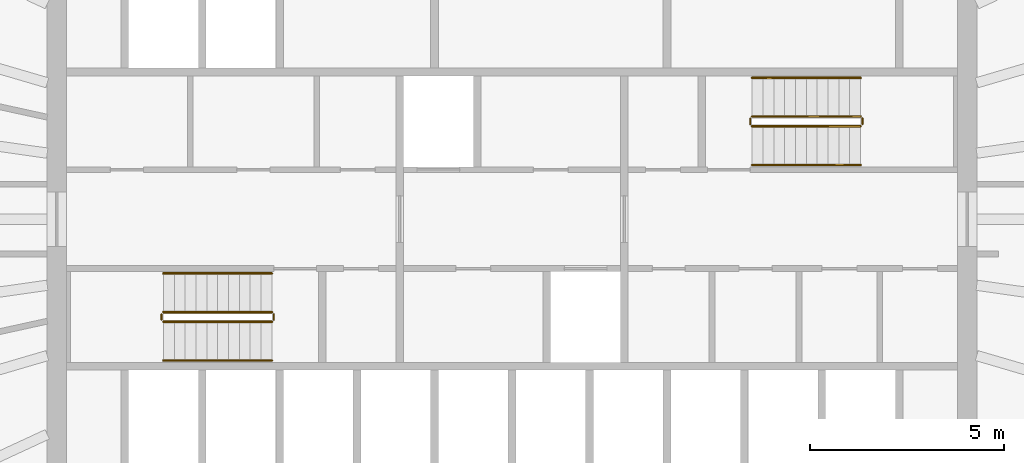
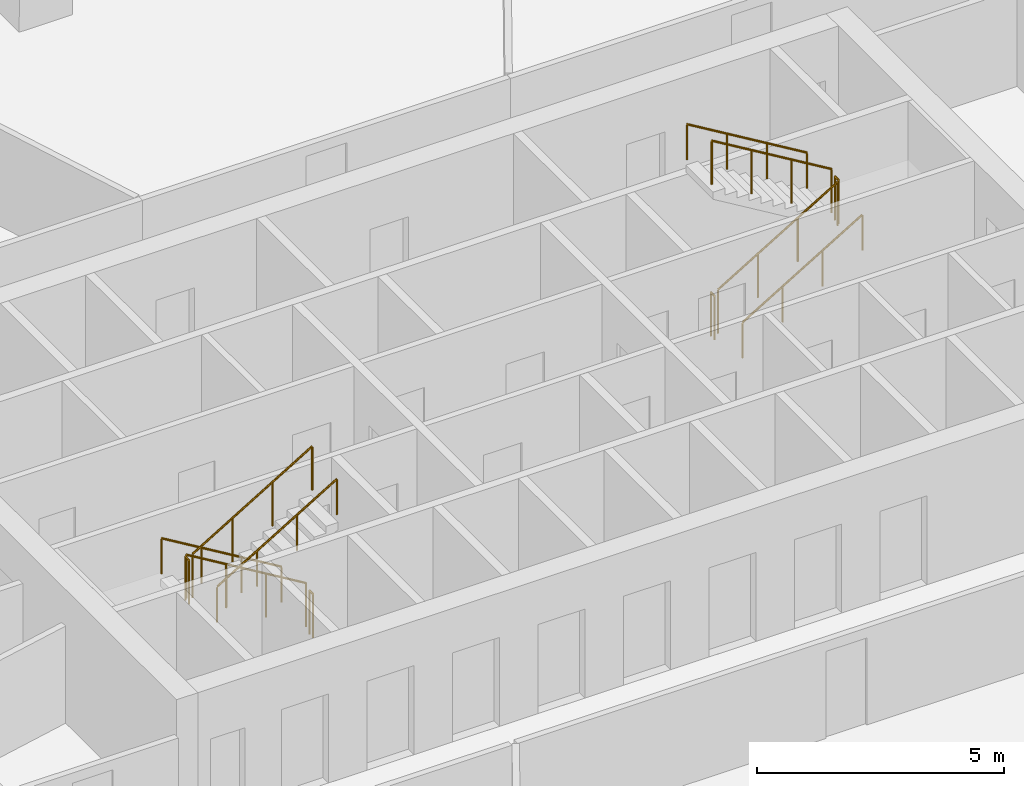
# One storey, part 11 of 11: 12 railings.
"""IFC4 building model written with IfcOpenShell, lengths in metres."""

from ifc_helpers import new_model, si_unit, direction, frame, origin, origin_2d, place, context, subcontext, project, spatial, circle, extrude, material, type_object, element, save


model = new_model("IFC4")

# Units and contexts
model_context = context("Model", 3, precision=1e-05, world=origin(), true_north=direction((0.0, 1.0)))
body_context = subcontext(model_context, "Body", "Model", "MODEL_VIEW")
ifc_project = project(units=[si_unit("LENGTHUNIT", "METRE"), si_unit("AREAUNIT", "SQUARE_METRE"), si_unit("VOLUMEUNIT", "CUBIC_METRE"), si_unit("PLANEANGLEUNIT", "RADIAN"), si_unit("MASSUNIT", "GRAM", prefix="KILO")], contexts=[model_context])

# Site, building, storey
site_placement = place(None, origin())
site = spatial("IfcSite", under=ifc_project, at=site_placement, CompositionType="ELEMENT")
building_placement = place(site_placement, origin())
building = spatial("IfcBuilding", under=site, at=building_placement, Name="Siaravel Broadcast Tower", CompositionType="ELEMENT")
storey_placement = place(building_placement, frame((0.0, 0.0, 126.699951171875)))
storey = spatial("IfcBuildingStorey", under=building, at=storey_placement, Name="L30", CompositionType="ELEMENT", Elevation=126.699951171875)

# Railings
ifc_material = material(Name="Stainless steel 316L", Category="steel")
railing_type_1 = type_object("IfcRailingType", Name="Stair guard 1100", PredefinedType="GUARDRAIL", material=ifc_material)
railing_1_placement = place(storey_placement, frame((-6.199951171875, -2.39990234375, 0.168212890625)))
element("IfcRailing", 1, at=railing_1_placement, inside=storey, type_object=railing_type_1, Name="L30 ST-1 stair guard 1", PredefinedType="GUARDRAIL", context=body_context, shape_type="SweptSolid", body=[
    extrude(circle(Radius=0.02392578125, at=origin_2d()), frame((0.0, 0.0, 1.076171875), z_axis=(-0.857242211, 0.0, 0.514913383), x_axis=(0.0, -1.0, 0.0)), (0.0, 0.0, 1.0), 3.266357421875),
    extrude(circle(Radius=0.02099609375, at=origin_2d()), origin(), (0.0, 0.0, 1.0), 1.052001953125),
    extrude(circle(Radius=0.02099609375, at=origin_2d()), frame((-0.933349609375, 0.0, 0.560546875)), (0.0, 0.0, 1.0), 1.052001953125),
    extrude(circle(Radius=0.02099609375, at=origin_2d()), frame((-1.86669921875, 0.0, 1.121337890625)), (0.0, 0.0, 1.0), 1.052001953125),
    extrude(circle(Radius=0.02099609375, at=origin_2d()), frame((-2.800048828125, 0.0, 1.681884765625)), (0.0, 0.0, 1.0), 1.052001953125),
])
railing_2_placement = place(storey_placement, frame((-9.050048828125, -2.449951171875, 1.85009765625)))
element("IfcRailing", 2, at=railing_2_placement, inside=storey, type_object=railing_type_1, Name="L30 ST-1 stair guard 2", PredefinedType="GUARDRAIL", context=body_context, shape_type="SweptSolid", body=[
    extrude(circle(Radius=0.02392578125, at=origin_2d()), frame((0.0, 0.0, 1.076171875), z_axis=(0.0, -1.0, 0.0), x_axis=(1.0, 0.0, 0.0)), (0.0, 0.0, 1.0), 0.150146484375),
    extrude(circle(Radius=0.02099609375, at=origin_2d()), origin(), (0.0, 0.0, 1.0), 1.052001953125),
    extrude(circle(Radius=0.02099609375, at=origin_2d()), frame((0.0, -0.150146484375, 0.0)), (0.0, 0.0, 1.0), 1.052001953125),
])
railing_3_placement = place(storey_placement, frame((-9.0, -2.64990234375, 2.018310546875)))
element("IfcRailing", 3, at=railing_3_placement, inside=storey, type_object=railing_type_1, Name="L30 ST-1 stair guard 3", PredefinedType="GUARDRAIL", context=body_context, shape_type="SweptSolid", body=[
    extrude(circle(Radius=0.02392578125, at=origin_2d()), frame((0.0, 0.0, 1.076171875), z_axis=(0.857275203, 0.0, 0.514858453), x_axis=(0.0, 1.0, 0.0)), (0.0, 0.0, 1.0), 3.26611328125),
    extrude(circle(Radius=0.02099609375, at=origin_2d()), origin(), (0.0, 0.0, 1.0), 1.052001953125),
    extrude(circle(Radius=0.02099609375, at=origin_2d()), frame((0.933349609375, 0.0, 0.560546875)), (0.0, 0.0, 1.0), 1.052001953125),
    extrude(circle(Radius=0.02099609375, at=origin_2d()), frame((1.86669921875, 0.0, 1.12109375)), (0.0, 0.0, 1.0), 1.052001953125),
    extrude(circle(Radius=0.02099609375, at=origin_2d()), frame((2.800048828125, 0.0, 1.681640625)), (0.0, 0.0, 1.0), 1.052001953125),
])
railing_4_placement = place(storey_placement, frame((-6.14990234375, -2.449951171875, 0.0)))
element("IfcRailing", 4, at=railing_4_placement, inside=storey, type_object=railing_type_1, Name="L30 ST-1 stair guard 4", PredefinedType="GUARDRAIL", context=body_context, shape_type="SweptSolid", body=[
    extrude(circle(Radius=0.02392578125, at=origin_2d()), frame((0.0, 0.0, 1.076171875), z_axis=(0.0, -1.0, 0.0), x_axis=(1.0, 0.0, 0.0)), (0.0, 0.0, 1.0), 0.150146484375),
    extrude(circle(Radius=0.02099609375, at=origin_2d()), origin(), (0.0, 0.0, 1.0), 1.052001953125),
    extrude(circle(Radius=0.02099609375, at=origin_2d()), frame((0.0, -0.150146484375, 0.0)), (0.0, 0.0, 1.0), 1.052001953125),
])
railing_5_placement = place(storey_placement, frame((6.199951171875, 2.39990234375, 0.168212890625)))
element("IfcRailing", 5, at=railing_5_placement, inside=storey, type_object=railing_type_1, Name="L30 ST-2 stair guard 1", PredefinedType="GUARDRAIL", context=body_context, shape_type="SweptSolid", body=[
    extrude(circle(Radius=0.02392578125, at=origin_2d()), frame((0.0, 0.0, 1.076171875), z_axis=(0.857242211, 0.0, 0.514913383), x_axis=(0.0, 1.0, 0.0)), (0.0, 0.0, 1.0), 3.266357421875),
    extrude(circle(Radius=0.02099609375, at=origin_2d()), origin(), (0.0, 0.0, 1.0), 1.052001953125),
    extrude(circle(Radius=0.02099609375, at=origin_2d()), frame((0.933349609375, 0.0, 0.560546875)), (0.0, 0.0, 1.0), 1.052001953125),
    extrude(circle(Radius=0.02099609375, at=origin_2d()), frame((1.86669921875, 0.0, 1.121337890625)), (0.0, 0.0, 1.0), 1.052001953125),
    extrude(circle(Radius=0.02099609375, at=origin_2d()), frame((2.800048828125, 0.0, 1.681884765625)), (0.0, 0.0, 1.0), 1.052001953125),
])
railing_6_placement = place(storey_placement, frame((9.050048828125, 2.449951171875, 1.85009765625)))
element("IfcRailing", 6, at=railing_6_placement, inside=storey, type_object=railing_type_1, Name="L30 ST-2 stair guard 2", PredefinedType="GUARDRAIL", context=body_context, shape_type="SweptSolid", body=[
    extrude(circle(Radius=0.02392578125, at=origin_2d()), frame((0.0, 0.0, 1.076171875), z_axis=(0.0, 1.0, 0.0), x_axis=(-1.0, 0.0, 0.0)), (0.0, 0.0, 1.0), 0.150146484375),
    extrude(circle(Radius=0.02099609375, at=origin_2d()), origin(), (0.0, 0.0, 1.0), 1.052001953125),
    extrude(circle(Radius=0.02099609375, at=origin_2d()), frame((0.0, 0.150146484375, 0.0)), (0.0, 0.0, 1.0), 1.052001953125),
])
railing_7_placement = place(storey_placement, frame((9.0, 2.64990234375, 2.018310546875)))
element("IfcRailing", 7, at=railing_7_placement, inside=storey, type_object=railing_type_1, Name="L30 ST-2 stair guard 3", PredefinedType="GUARDRAIL", context=body_context, shape_type="SweptSolid", body=[
    extrude(circle(Radius=0.02392578125, at=origin_2d()), frame((0.0, 0.0, 1.076171875), z_axis=(-0.857275203, 0.0, 0.514858453), x_axis=(0.0, -1.0, 0.0)), (0.0, 0.0, 1.0), 3.26611328125),
    extrude(circle(Radius=0.02099609375, at=origin_2d()), origin(), (0.0, 0.0, 1.0), 1.052001953125),
    extrude(circle(Radius=0.02099609375, at=origin_2d()), frame((-0.933349609375, 0.0, 0.560546875)), (0.0, 0.0, 1.0), 1.052001953125),
    extrude(circle(Radius=0.02099609375, at=origin_2d()), frame((-1.86669921875, 0.0, 1.12109375)), (0.0, 0.0, 1.0), 1.052001953125),
    extrude(circle(Radius=0.02099609375, at=origin_2d()), frame((-2.800048828125, 0.0, 1.681640625)), (0.0, 0.0, 1.0), 1.052001953125),
])
railing_8_placement = place(storey_placement, frame((6.14990234375, 2.449951171875, 0.0)))
element("IfcRailing", 8, at=railing_8_placement, inside=storey, type_object=railing_type_1, Name="L30 ST-2 stair guard 4", PredefinedType="GUARDRAIL", context=body_context, shape_type="SweptSolid", body=[
    extrude(circle(Radius=0.02392578125, at=origin_2d()), frame((0.0, 0.0, 1.076171875), z_axis=(0.0, 1.0, 0.0), x_axis=(-1.0, 0.0, 0.0)), (0.0, 0.0, 1.0), 0.150146484375),
    extrude(circle(Radius=0.02099609375, at=origin_2d()), origin(), (0.0, 0.0, 1.0), 1.052001953125),
    extrude(circle(Radius=0.02099609375, at=origin_2d()), frame((0.0, 0.150146484375, 0.0)), (0.0, 0.0, 1.0), 1.052001953125),
])
railing_type_2 = type_object("IfcRailingType", Name="Stair handrail 900", PredefinedType="HANDRAIL", material=ifc_material)
railing_9_placement = place(storey_placement, frame((-6.199951171875, -1.39990234375, 0.168212890625)))
element("IfcRailing", 9, at=railing_9_placement, inside=storey, type_object=railing_type_2, Name="L30 ST-1 stair handrail 1", PredefinedType="HANDRAIL", context=body_context, shape_type="SweptSolid", body=[
    extrude(circle(Radius=0.02392578125, at=origin_2d()), frame((0.0, 0.0, 0.8759765625), z_axis=(-0.857242211, 0.0, 0.514913383), x_axis=(0.0, -1.0, 0.0)), (0.0, 0.0, 1.0), 3.266357421875),
    extrude(circle(Radius=0.02099609375, at=origin_2d()), origin(), (0.0, 0.0, 1.0), 0.851806640625),
    extrude(circle(Radius=0.02099609375, at=origin_2d()), frame((-0.933349609375, 0.0, 0.560546875)), (0.0, 0.0, 1.0), 0.851806640625),
    extrude(circle(Radius=0.02099609375, at=origin_2d()), frame((-1.86669921875, 0.0, 1.121337890625)), (0.0, 0.0, 1.0), 0.851806640625),
    extrude(circle(Radius=0.02099609375, at=origin_2d()), frame((-2.800048828125, 0.0, 1.681884765625)), (0.0, 0.0, 1.0), 0.851806640625),
])
railing_10_placement = place(storey_placement, frame((-9.0, -3.64990234375, 2.018310546875)))
element("IfcRailing", 10, at=railing_10_placement, inside=storey, type_object=railing_type_2, Name="L30 ST-1 stair handrail 2", PredefinedType="HANDRAIL", context=body_context, shape_type="SweptSolid", body=[
    extrude(circle(Radius=0.02392578125, at=origin_2d()), frame((0.0, 0.0, 0.8759765625), z_axis=(0.857275203, 0.0, 0.514858453), x_axis=(0.0, 1.0, 0.0)), (0.0, 0.0, 1.0), 3.26611328125),
    extrude(circle(Radius=0.02099609375, at=origin_2d()), origin(), (0.0, 0.0, 1.0), 0.851806640625),
    extrude(circle(Radius=0.02099609375, at=origin_2d()), frame((0.933349609375, 0.0, 0.560546875)), (0.0, 0.0, 1.0), 0.851806640625),
    extrude(circle(Radius=0.02099609375, at=origin_2d()), frame((1.86669921875, 0.0, 1.12109375)), (0.0, 0.0, 1.0), 0.851806640625),
    extrude(circle(Radius=0.02099609375, at=origin_2d()), frame((2.800048828125, 0.0, 1.681640625)), (0.0, 0.0, 1.0), 0.851806640625),
])
railing_11_placement = place(storey_placement, frame((6.199951171875, 1.39990234375, 0.168212890625)))
element("IfcRailing", 11, at=railing_11_placement, inside=storey, type_object=railing_type_2, Name="L30 ST-2 stair handrail 1", PredefinedType="HANDRAIL", context=body_context, shape_type="SweptSolid", body=[
    extrude(circle(Radius=0.02392578125, at=origin_2d()), frame((0.0, 0.0, 0.8759765625), z_axis=(0.857242211, 0.0, 0.514913383), x_axis=(0.0, 1.0, 0.0)), (0.0, 0.0, 1.0), 3.266357421875),
    extrude(circle(Radius=0.02099609375, at=origin_2d()), origin(), (0.0, 0.0, 1.0), 0.851806640625),
    extrude(circle(Radius=0.02099609375, at=origin_2d()), frame((0.933349609375, 0.0, 0.560546875)), (0.0, 0.0, 1.0), 0.851806640625),
    extrude(circle(Radius=0.02099609375, at=origin_2d()), frame((1.86669921875, 0.0, 1.121337890625)), (0.0, 0.0, 1.0), 0.851806640625),
    extrude(circle(Radius=0.02099609375, at=origin_2d()), frame((2.800048828125, 0.0, 1.681884765625)), (0.0, 0.0, 1.0), 0.851806640625),
])
railing_12_placement = place(storey_placement, frame((9.0, 3.64990234375, 2.018310546875)))
element("IfcRailing", 12, at=railing_12_placement, inside=storey, type_object=railing_type_2, Name="L30 ST-2 stair handrail 2", PredefinedType="HANDRAIL", context=body_context, shape_type="SweptSolid", body=[
    extrude(circle(Radius=0.02392578125, at=origin_2d()), frame((0.0, 0.0, 0.8759765625), z_axis=(-0.857275203, 0.0, 0.514858453), x_axis=(0.0, -1.0, 0.0)), (0.0, 0.0, 1.0), 3.26611328125),
    extrude(circle(Radius=0.02099609375, at=origin_2d()), origin(), (0.0, 0.0, 1.0), 0.851806640625),
    extrude(circle(Radius=0.02099609375, at=origin_2d()), frame((-0.933349609375, 0.0, 0.560546875)), (0.0, 0.0, 1.0), 0.851806640625),
    extrude(circle(Radius=0.02099609375, at=origin_2d()), frame((-1.86669921875, 0.0, 1.12109375)), (0.0, 0.0, 1.0), 0.851806640625),
    extrude(circle(Radius=0.02099609375, at=origin_2d()), frame((-2.800048828125, 0.0, 1.681640625)), (0.0, 0.0, 1.0), 0.851806640625),
])

save(model, "model.ifc")
